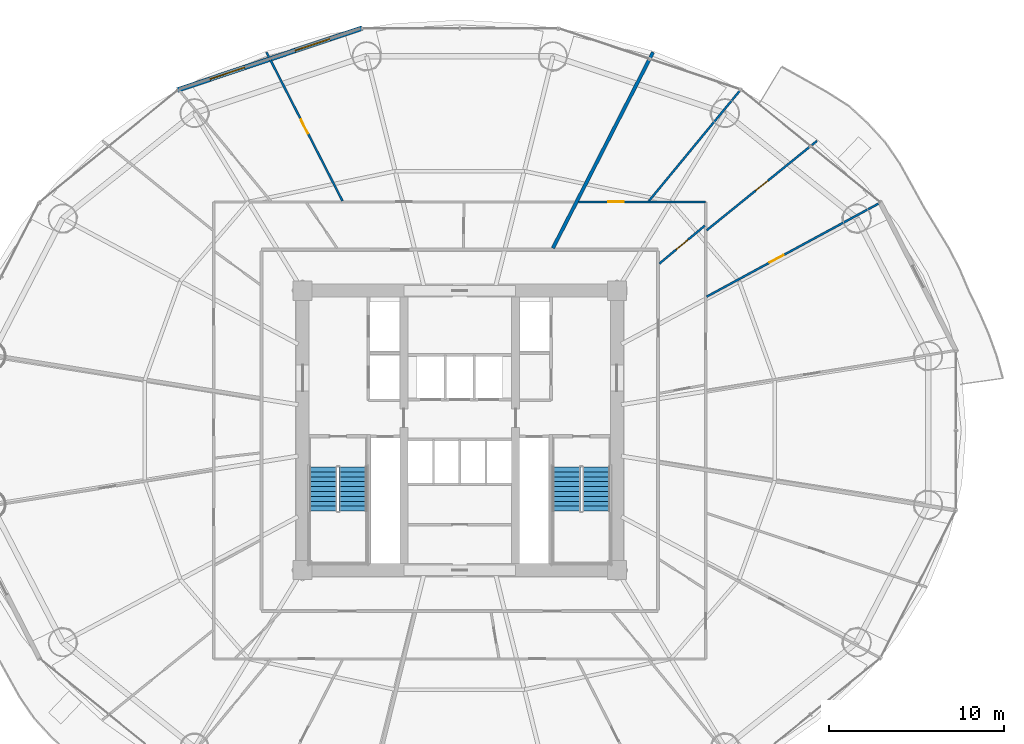
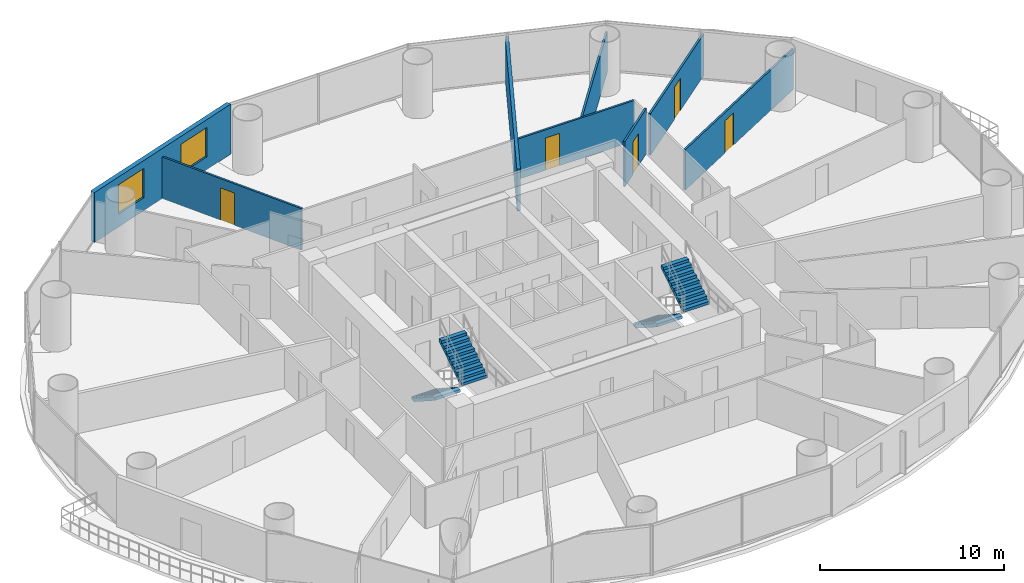
# One storey, part 26 of 30: 8 walls, 5 doors, 4 stair flights, 2 windows, 7 openings, 2 elements without a shape of their own.
"""IFC4 building model written with IfcOpenShell, lengths in metres."""

from ifc_helpers import new_model, si_unit, direction, frame, frame_2d, origin, place, context, subcontext, project, spatial, polyline, rectangle, outline, extrude, source, transform, mapped, material, layer, layer_set, type_object, element, fill, aggregate, save


model = new_model("IFC4")

# Units and contexts
model_context = context("Model", 3, precision=1e-05, world=origin(), true_north=direction((-0.2419218956, 0.970295726276)))
body_context = subcontext(model_context, "Body", "Model", "MODEL_VIEW")
ifc_project = project(units=[si_unit("LENGTHUNIT", "METRE"), si_unit("AREAUNIT", "SQUARE_METRE"), si_unit("VOLUMEUNIT", "CUBIC_METRE"), si_unit("PLANEANGLEUNIT", "RADIAN"), si_unit("MASSUNIT", "GRAM", prefix="KILO")], contexts=[model_context])

# Site, building, storey
site_placement = place(None, origin())
site = spatial("IfcSite", under=ifc_project, at=site_placement, CompositionType="ELEMENT")
building_placement = place(site_placement, origin())
building = spatial("IfcBuilding", under=site, at=building_placement, Name="Cobrevalo Terracotta Tower", CompositionType="ELEMENT")
storey_placement = place(building_placement, frame((0.0, 0.0, 31.199951171875)))
storey = spatial("IfcBuildingStorey", under=building, at=storey_placement, Name="L07", CompositionType="ELEMENT", Elevation=31.199951171875)

# Wall
ifc_material_1 = material(Name="Autoclaved aerated concrete block", Category="concrete")
ifc_layer_1 = layer(ifc_material_1, 0.199951171875)
ifc_layer_set_1 = layer_set([ifc_layer_1], Name="Autoclaved aerated concrete block")
wall_type_1 = type_object("IfcWallType", Name="Fire-rated stair, shaft & demising masonry wall 200 mm", PredefinedType="PARTITIONING", material=ifc_layer_set_1)
wall_1_placement = place(storey_placement, frame((43.334716796875, 37.23681640625, 0.0), z_axis=(0.0, 0.0, 1.0), x_axis=(0.455148959499, 0.890415310216, 0.0)))
element("IfcWall", 1, at=wall_1_placement, inside=storey, type_object=wall_type_1, Name="L07 interior partition IW-L07-DEM-2", PredefinedType="PARTITIONING", context=body_context, shape_type="SweptSolid", body=[
    extrude(rectangle(XDim=12.598388671875, YDim=0.199951171875, at=frame_2d((6.29931640625, 0.0))), origin(), (0.0, 0.0, 1.0), 2.761962890625),
])

# Wall, openings, windows
ifc_layer_2 = layer(ifc_material_1, 0.280029296875)
ifc_layer_set_2 = layer_set([ifc_layer_2], Name="Autoclaved aerated concrete block")
wall_type_2 = type_object("IfcWallType", Name="Insulated tower spandrel & pier wall 280 mm with terracotta rainscreen", PredefinedType="SOLIDWALL", material=ifc_layer_set_2)
wall_2_placement = place(storey_placement, frame((32.424072265625, 49.844482421875, 0.0), z_axis=(0.0, 0.0, 1.0), x_axis=(-0.948041258496, -0.318147406385, 0.0)))
wall_2 = element("IfcWall", 2, at=wall_2_placement, inside=storey, type_object=wall_type_2, Name="L07 terracotta rainscreen pier wall S05", PredefinedType="SOLIDWALL", context=body_context, shape_type="SweptSolid", body=[
    extrude(rectangle(XDim=11.17529296875, YDim=0.280029296875, at=frame_2d((5.587646484375, 0.0))), origin(), (0.0, 0.0, 1.0), 3.320068359375),
])
opening_1_placement = place(wall_2_placement, frame((1.96728515625, 0.0, 0.85009765625)))
opening_1 = element("IfcOpeningElement", 3, at=opening_1_placement, cuts=wall_2, Name="Opening WN-10", PredefinedType="OPENING", context=body_context, shape_type="SweptSolid", body=[
    extrude(rectangle(XDim=2.10009765625, YDim=1.949951171875, at=frame_2d((1.050048828125, 0.97509765625))), frame((0.0, 0.14990234375, 0.0), z_axis=(0.0, -1.0, 0.0), x_axis=(1.0, 0.0, 0.0)), (0.0, 0.0, 1.0), 0.300048828125),
])
opening_2_placement = place(wall_2_placement, frame((7.108154296875, 0.0, 0.85009765625)))
opening_2 = element("IfcOpeningElement", 4, at=opening_2_placement, cuts=wall_2, Name="Opening WN-10", PredefinedType="OPENING", context=body_context, shape_type="SweptSolid", body=[
    extrude(rectangle(XDim=2.10009765625, YDim=1.949951171875, at=frame_2d((1.050048828125, 0.97509765625))), frame((0.0, 0.14990234375, 0.0), z_axis=(0.0, -1.0, 0.0), x_axis=(1.0, 0.0, 0.0)), (0.0, 0.0, 1.0), 0.300048828125),
])
ifc_material_2 = material(Name="Solar-control low-E double glazing", Category="glass")
window_type = type_object("IfcWindowType", Name="Wide panoramic low-E aluminium window 2100x1950", PartitioningType="SINGLE_PANEL", PredefinedType="WINDOW", material=ifc_material_2)
shared_shape_1 = source(origin(), body_context, "Body", "SweptSolid", [
    extrude(rectangle(XDim=2.10009765625, YDim=1.949951171875, at=frame_2d((1.050048828125, 0.97509765625))), frame((0.0, 0.030029296875, 0.0), z_axis=(0.0, -1.0, 0.0), x_axis=(1.0, 0.0, 0.0)), (0.0, 0.0, 1.0), 0.06005859375),
])
window_1_placement = place(opening_1_placement, origin())
window_1 = element("IfcWindow", 5, at=window_1_placement, inside=storey, type_object=window_type, Name="L07 suite window S05A", OverallHeight=1.949951171875, OverallWidth=2.10009765625, PartitioningType="SINGLE_PANEL", PredefinedType="WINDOW", context=body_context, shape_type="MappedRepresentation", body=[
    mapped(shared_shape_1, transform((0.0, 0.0, 0.0), scale=1.0)),
])
fill(opening_1, window_1)
window_2_placement = place(opening_2_placement, origin())
window_2 = element("IfcWindow", 6, at=window_2_placement, inside=storey, type_object=window_type, Name="L07 suite window S05B", OverallHeight=1.949951171875, OverallWidth=2.10009765625, PartitioningType="SINGLE_PANEL", PredefinedType="WINDOW", context=body_context, shape_type="MappedRepresentation", body=[
    mapped(shared_shape_1, transform((0.0, 0.0, 0.0), scale=1.0)),
])
fill(opening_2, window_2)

# Wall, opening, door
ifc_material_3 = material(Name="Gypsum board on steel stud", Category="steel")
ifc_layer_3 = layer(ifc_material_3, 0.1201171875)
ifc_layer_set_3 = layer_set([ifc_layer_3], Name="Gypsum board on steel stud")
wall_type_3 = type_object("IfcWallType", Name="Residential internal acoustic stud partition 120 mm", PredefinedType="PARTITIONING", material=ifc_layer_set_3)
wall_3_placement = place(storey_placement, frame((44.79052734375, 39.885009765625, 0.0), z_axis=(0.0, 0.0, 1.0), x_axis=(1.0, 0.0, 0.0)))
wall_3 = element("IfcWall", 7, at=wall_3_placement, inside=storey, type_object=wall_type_3, Name="L07 interior partition IW-L07-U1-RING0_0", PredefinedType="PARTITIONING", context=body_context, shape_type="SweptSolid", body=[
    extrude(rectangle(XDim=7.29443359375, YDim=0.1201171875, at=frame_2d((3.647216796875, 0.0))), origin(), (0.0, 0.0, 1.0), 2.68798828125),
])
opening_3_placement = place(wall_3_placement, frame((1.705078125, 0.0, 0.0)))
opening_3 = element("IfcOpeningElement", 8, at=opening_3_placement, cuts=wall_3, Name="Opening ID-12", PredefinedType="OPENING", context=body_context, shape_type="SweptSolid", body=[
    extrude(rectangle(XDim=0.89990234375, YDim=2.14990234375, at=frame_2d((0.449951171875, 1.074951171875))), frame((0.0, 0.070068359375, 0.0), z_axis=(0.0, -1.0, 0.0), x_axis=(1.0, 0.0, 0.0)), (0.0, 0.0, 1.0), 0.14013671875),
])
ifc_material_4 = material(Name="Engineered timber", Category="wood")
door_type = type_object("IfcDoorType", Name="Internal residence & suite timber door 900x2150", OperationType="NOTDEFINED", PredefinedType="DOOR", material=ifc_material_4)
shared_shape_2 = source(origin(), body_context, "Body", "SweptSolid", [
    extrude(rectangle(XDim=0.89990234375, YDim=2.14990234375, at=frame_2d((0.449951171875, 1.074951171875))), frame((0.0, 0.02490234375, 0.0), z_axis=(0.0, -1.0, 0.0), x_axis=(1.0, 0.0, 0.0)), (0.0, 0.0, 1.0), 0.050048828125),
])
door_1_placement = place(opening_3_placement, origin())
door_1 = element("IfcDoor", 9, at=door_1_placement, inside=storey, type_object=door_type, Name="Flat L07A Penthouse Family Lounge internal door", OperationType="SINGLE_SWING_LEFT", OverallHeight=2.14990234375, OverallWidth=0.89990234375, PredefinedType="DOOR", context=body_context, shape_type="MappedRepresentation", body=[
    mapped(shared_shape_2, transform((0.0, 0.0, 0.0), scale=1.0)),
])
fill(opening_3, door_1)

wall_4_placement = place(storey_placement, frame((52.139404296875, 34.455810546875, 0.0), z_axis=(0.0, 0.0, 1.0), x_axis=(0.879372452045, 0.476134529922, 0.0)))
wall_4 = element("IfcWall", 10, at=wall_4_placement, inside=storey, type_object=wall_type_3, Name="L07 interior partition IW-L07-U1-ORAD2M1", PredefinedType="PARTITIONING", context=body_context, shape_type="SweptSolid", body=[
    extrude(rectangle(XDim=11.219482421875, YDim=0.1201171875, at=frame_2d((5.60986328125, 0.0))), origin(), (0.0, 0.0, 1.0), 2.68798828125),
])
opening_4_placement = place(wall_4_placement, frame((4.101806640625, 0.0, 0.0)))
opening_4 = element("IfcOpeningElement", 11, at=opening_4_placement, cuts=wall_4, Name="Opening ID-12", PredefinedType="OPENING", context=body_context, shape_type="SweptSolid", body=[
    extrude(rectangle(XDim=0.89990234375, YDim=2.14990234375, at=frame_2d((0.449951171875, 1.074951171875))), frame((0.0, 0.070068359375, 0.0), z_axis=(0.0, -1.0, 0.0), x_axis=(1.0, 0.0, 0.0)), (0.0, 0.0, 1.0), 0.14013671875),
])
door_2_placement = place(opening_4_placement, origin())
door_2 = element("IfcDoor", 12, at=door_2_placement, inside=storey, type_object=door_type, Name="Flat L07A Master Bedroom internal door", OperationType="SINGLE_SWING_RIGHT", OverallHeight=2.14990234375, OverallWidth=0.89990234375, PredefinedType="DOOR", context=body_context, shape_type="MappedRepresentation", body=[
    mapped(shared_shape_2, transform((0.0, 0.0, 0.0), scale=1.0)),
])
fill(opening_4, door_2)

wall_5_placement = place(storey_placement, frame((52.133056640625, 38.252685546875, 0.0), z_axis=(0.0, 0.0, 1.0), x_axis=(0.776936623447, 0.629578814087, 0.0)))
wall_5 = element("IfcWall", 13, at=wall_5_placement, inside=storey, type_object=wall_type_3, Name="L07 interior partition IW-L07-U1-ORAD2", PredefinedType="PARTITIONING", context=body_context, shape_type="SweptSolid", body=[
    extrude(rectangle(XDim=8.136474609375, YDim=0.1201171875, at=frame_2d((4.068359375, 0.0))), origin(), (0.0, 0.0, 1.0), 2.761962890625),
])
opening_5_placement = place(wall_5_placement, frame((3.618408203125, 0.0, 0.0)))
opening_5 = element("IfcOpeningElement", 14, at=opening_5_placement, cuts=wall_5, Name="Opening ID-12", PredefinedType="OPENING", context=body_context, shape_type="SweptSolid", body=[
    extrude(rectangle(XDim=0.89990234375, YDim=2.14990234375, at=frame_2d((0.449951171875, 1.074951171875))), frame((0.0, 0.070068359375, 0.0), z_axis=(0.0, -1.0, 0.0), x_axis=(1.0, 0.0, 0.0)), (0.0, 0.0, 1.0), 0.14013671875),
])
door_3_placement = place(opening_5_placement, origin())
door_3 = element("IfcDoor", 15, at=door_3_placement, inside=storey, type_object=door_type, Name="Flat L07A Principal Guest Bedroom internal door", OperationType="SINGLE_SWING_LEFT", OverallHeight=2.14990234375, OverallWidth=0.89990234375, PredefinedType="DOOR", context=body_context, shape_type="MappedRepresentation", body=[
    mapped(shared_shape_2, transform((0.0, 0.0, 0.0), scale=1.0)),
])
fill(opening_5, door_3)

# Wall
wall_6_placement = place(storey_placement, frame((48.828857421875, 39.932861328125, 0.0), z_axis=(0.0, 0.0, 1.0), x_axis=(0.636192172227, 0.771530634516, 0.0)))
element("IfcWall", 16, at=wall_6_placement, inside=storey, type_object=wall_type_3, Name="L07 interior partition IW-L07-U1-ORAD3M1", PredefinedType="PARTITIONING", context=body_context, shape_type="SweptSolid", body=[
    extrude(rectangle(XDim=8.186279296875, YDim=0.1201171875, at=frame_2d((4.09326171875, 0.0))), origin(), (0.0, 0.0, 1.0), 2.68798828125),
])

# Wall, opening, door
wall_7_placement = place(storey_placement, frame((49.43505859375, 36.3525390625, 0.0), z_axis=(0.0, 0.0, 1.0), x_axis=(0.76742398833, 0.641139939589, 0.0)))
wall_7 = element("IfcWall", 17, at=wall_7_placement, inside=storey, type_object=wall_type_3, Name="L07 interior partition IW-L07-U1-IRAD2", PredefinedType="PARTITIONING", context=body_context, shape_type="SweptSolid", body=[
    extrude(rectangle(XDim=3.390869140625, YDim=0.1201171875, at=frame_2d((1.6953125, 0.0))), origin(), (0.0, 0.0, 1.0), 2.9990234375),
])
opening_6_placement = place(wall_7_placement, frame((1.24560546875, 0.0, 0.0)))
opening_6 = element("IfcOpeningElement", 18, at=opening_6_placement, cuts=wall_7, Name="Opening ID-12", PredefinedType="OPENING", context=body_context, shape_type="SweptSolid", body=[
    extrude(rectangle(XDim=0.89990234375, YDim=2.14990234375, at=frame_2d((0.449951171875, 1.074951171875))), frame((0.0, 0.070068359375, 0.0), z_axis=(0.0, -1.0, 0.0), x_axis=(1.0, 0.0, 0.0)), (0.0, 0.0, 1.0), 0.14013671875),
])
door_4_placement = place(opening_6_placement, origin())
door_4 = element("IfcDoor", 19, at=door_4_placement, inside=storey, type_object=door_type, Name="Flat L07A Kitchen internal door", OperationType="SINGLE_SWING_LEFT", OverallHeight=2.14990234375, OverallWidth=0.89990234375, PredefinedType="DOOR", context=body_context, shape_type="MappedRepresentation", body=[
    mapped(shared_shape_2, transform((0.0, 0.0, 0.0), scale=1.0)),
])
fill(opening_6, door_4)

wall_8_placement = place(storey_placement, frame((31.283203125, 39.940185546875, 0.0), z_axis=(0.0, 0.0, 1.0), x_axis=(-0.455131303234, 0.890424335256, 0.0)))
wall_8 = element("IfcWall", 20, at=wall_8_placement, inside=storey, type_object=wall_type_3, Name="L07 interior partition IW-L07-U2-ORAD1", PredefinedType="PARTITIONING", context=body_context, shape_type="SweptSolid", body=[
    extrude(rectangle(XDim=9.562255859375, YDim=0.1201171875, at=frame_2d((4.78125, 0.0))), origin(), (0.0, 0.0, 1.0), 2.761962890625),
])
opening_7_placement = place(wall_8_placement, frame((4.3310546875, 0.0, 0.0)))
opening_7 = element("IfcOpeningElement", 21, at=opening_7_placement, cuts=wall_8, Name="Opening ID-12", PredefinedType="OPENING", context=body_context, shape_type="SweptSolid", body=[
    extrude(rectangle(XDim=0.89990234375, YDim=2.14990234375, at=frame_2d((0.449951171875, 1.074951171875))), frame((0.0, 0.070068359375, 0.0), z_axis=(0.0, -1.0, 0.0), x_axis=(1.0, 0.0, 0.0)), (0.0, 0.0, 1.0), 0.14013671875),
])
door_5_placement = place(opening_7_placement, origin())
door_5 = element("IfcDoor", 22, at=door_5_placement, inside=storey, type_object=door_type, Name="Flat L07B Master Bedroom internal door", OperationType="SINGLE_SWING_RIGHT", OverallHeight=2.14990234375, OverallWidth=0.89990234375, PredefinedType="DOOR", context=body_context, shape_type="MappedRepresentation", body=[
    mapped(shared_shape_2, transform((0.0, 0.0, 0.0), scale=1.0)),
])
fill(opening_7, door_5)

# Stair, stair flights
ifc_material_5 = material(Name="Concrete C50", Category="concrete")
stair_type = type_object("IfcStairType", Name="Core protected escape dogleg stair 1600", PredefinedType="HALF_TURN_STAIR", material=ifc_material_5)
stair_1_placement = place(storey_placement, origin())
stair_1 = element("IfcStair", 23, at=stair_1_placement, inside=storey, type_object=stair_type, Name="L07 Protected exit stair ST-1", PredefinedType="HALF_TURN_STAIR")
stair_flight_type = type_object("IfcStairFlightType", Name="Core protected escape dogleg stair 1600 flight", PredefinedType="STRAIGHT", material=ifc_material_5)
stair_flight_1_placement = place(storey_placement, frame((30.175048828125, 24.699951171875, 0.0), z_axis=(0.0, 0.0, 1.0), x_axis=(0.0, -1.0, 0.0)))
stair_flight_1 = element("IfcStairFlight", 24, at=stair_flight_1_placement, type_object=stair_flight_type, Name="ST-1 flight 1", NumberOfRisers=10, NumberOfTreads=9, PredefinedType="STRAIGHT", RiserHeight=0.18, TreadLength=0.28, context=body_context, shape_type="SweptSolid", body=[
    extrude(outline(polyline([(0.0, 0.0), (0.0, 0.179931640625), (0.280029296875, 0.179931640625), (0.280029296875, 0.360107421875), (0.56005859375, 0.360107421875), (0.56005859375, 0.5400390625), (0.840087890625, 0.5400390625), (0.840087890625, 0.719970703125), (1.1201171875, 0.719970703125), (1.1201171875, 0.89990234375), (1.39990234375, 0.89990234375), (1.39990234375, 1.080078125), (1.679931640625, 1.080078125), (1.679931640625, 1.260009765625), (1.9599609375, 1.260009765625), (1.9599609375, 1.43994140625), (2.239990234375, 1.43994140625), (2.239990234375, 1.6201171875), (2.52001953125, 1.6201171875), (2.52001953125, 1.800048828125), (2.52001953125, 1.429931640625), (0.295654296875, 0.0), (0.0, 0.0)])), frame((0.0, 0.800048828125, 0.0), z_axis=(0.0, -1.0, 0.0), x_axis=(1.0, 0.0, 0.0)), (0.0, 0.0, 1.0), 1.60009765625),
])
stair_flight_2_placement = place(storey_placement, frame((31.89501953125, 22.179931640625, 1.800048828125), z_axis=(0.0, 0.0, 1.0), x_axis=(0.0, 1.0, 0.0)))
stair_flight_2 = element("IfcStairFlight", 25, at=stair_flight_2_placement, type_object=stair_flight_type, Name="ST-1 flight 2", NumberOfRisers=10, NumberOfTreads=9, PredefinedType="STRAIGHT", RiserHeight=0.18, TreadLength=0.28, context=body_context, shape_type="SweptSolid", body=[
    extrude(outline(polyline([(0.0, 0.0), (0.0, 0.179931640625), (0.280029296875, 0.179931640625), (0.280029296875, 0.360107421875), (0.56005859375, 0.360107421875), (0.56005859375, 0.5400390625), (0.840087890625, 0.5400390625), (0.840087890625, 0.719970703125), (1.1201171875, 0.719970703125), (1.1201171875, 0.89990234375), (1.39990234375, 0.89990234375), (1.39990234375, 1.080078125), (1.679931640625, 1.080078125), (1.679931640625, 1.260009765625), (1.9599609375, 1.260009765625), (1.9599609375, 1.43994140625), (2.239990234375, 1.43994140625), (2.239990234375, 1.6201171875), (2.52001953125, 1.6201171875), (2.52001953125, 1.800048828125), (2.52001953125, 1.429931640625), (0.295654296875, 0.0), (0.0, 0.0)])), frame((0.0, 0.800048828125, 0.0), z_axis=(0.0, -1.0, 0.0), x_axis=(1.0, 0.0, 0.0)), (0.0, 0.0, 1.0), 1.60009765625),
])
aggregate(stair_1, [stair_flight_1, stair_flight_2])

stair_2_placement = place(storey_placement, origin())
stair_2 = element("IfcStair", 26, at=stair_2_placement, inside=storey, type_object=stair_type, Name="L07 Protected exit stair ST-2", PredefinedType="HALF_TURN_STAIR")
stair_flight_3_placement = place(storey_placement, frame((44.10498046875, 24.699951171875, 0.0), z_axis=(0.0, 0.0, 1.0), x_axis=(0.0, -1.0, 0.0)))
stair_flight_3 = element("IfcStairFlight", 27, at=stair_flight_3_placement, type_object=stair_flight_type, Name="ST-2 flight 1", NumberOfRisers=10, NumberOfTreads=9, PredefinedType="STRAIGHT", RiserHeight=0.18, TreadLength=0.28, context=body_context, shape_type="SweptSolid", body=[
    extrude(outline(polyline([(0.0, 0.0), (0.0, 0.179931640625), (0.280029296875, 0.179931640625), (0.280029296875, 0.360107421875), (0.56005859375, 0.360107421875), (0.56005859375, 0.5400390625), (0.840087890625, 0.5400390625), (0.840087890625, 0.719970703125), (1.1201171875, 0.719970703125), (1.1201171875, 0.89990234375), (1.39990234375, 0.89990234375), (1.39990234375, 1.080078125), (1.679931640625, 1.080078125), (1.679931640625, 1.260009765625), (1.9599609375, 1.260009765625), (1.9599609375, 1.43994140625), (2.239990234375, 1.43994140625), (2.239990234375, 1.6201171875), (2.52001953125, 1.6201171875), (2.52001953125, 1.800048828125), (2.52001953125, 1.429931640625), (0.295654296875, 0.0), (0.0, 0.0)])), frame((0.0, 0.800048828125, 0.0), z_axis=(0.0, -1.0, 0.0), x_axis=(1.0, 0.0, 0.0)), (0.0, 0.0, 1.0), 1.60009765625),
])
stair_flight_4_placement = place(storey_placement, frame((45.824951171875, 22.179931640625, 1.800048828125), z_axis=(0.0, 0.0, 1.0), x_axis=(0.0, 1.0, 0.0)))
stair_flight_4 = element("IfcStairFlight", 28, at=stair_flight_4_placement, type_object=stair_flight_type, Name="ST-2 flight 2", NumberOfRisers=10, NumberOfTreads=9, PredefinedType="STRAIGHT", RiserHeight=0.18, TreadLength=0.28, context=body_context, shape_type="SweptSolid", body=[
    extrude(outline(polyline([(0.0, 0.0), (0.0, 0.179931640625), (0.280029296875, 0.179931640625), (0.280029296875, 0.360107421875), (0.56005859375, 0.360107421875), (0.56005859375, 0.5400390625), (0.840087890625, 0.5400390625), (0.840087890625, 0.719970703125), (1.1201171875, 0.719970703125), (1.1201171875, 0.89990234375), (1.39990234375, 0.89990234375), (1.39990234375, 1.080078125), (1.679931640625, 1.080078125), (1.679931640625, 1.260009765625), (1.9599609375, 1.260009765625), (1.9599609375, 1.43994140625), (2.239990234375, 1.43994140625), (2.239990234375, 1.6201171875), (2.52001953125, 1.6201171875), (2.52001953125, 1.800048828125), (2.52001953125, 1.429931640625), (0.295654296875, 0.0), (0.0, 0.0)])), frame((0.0, 0.800048828125, 0.0), z_axis=(0.0, -1.0, 0.0), x_axis=(1.0, 0.0, 0.0)), (0.0, 0.0, 1.0), 1.60009765625),
])
aggregate(stair_2, [stair_flight_3, stair_flight_4])

save(model, "model.ifc")
